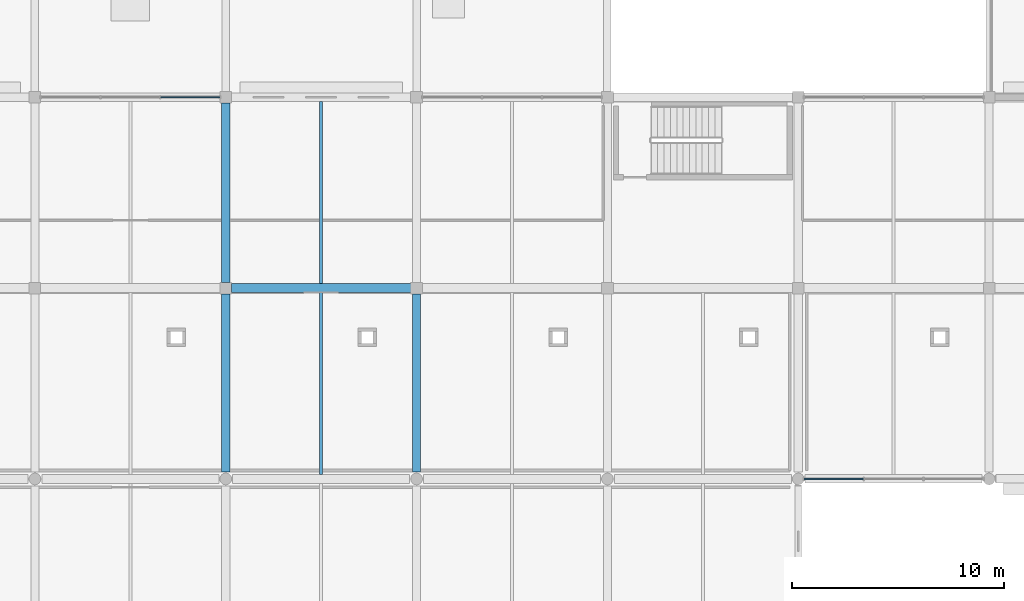
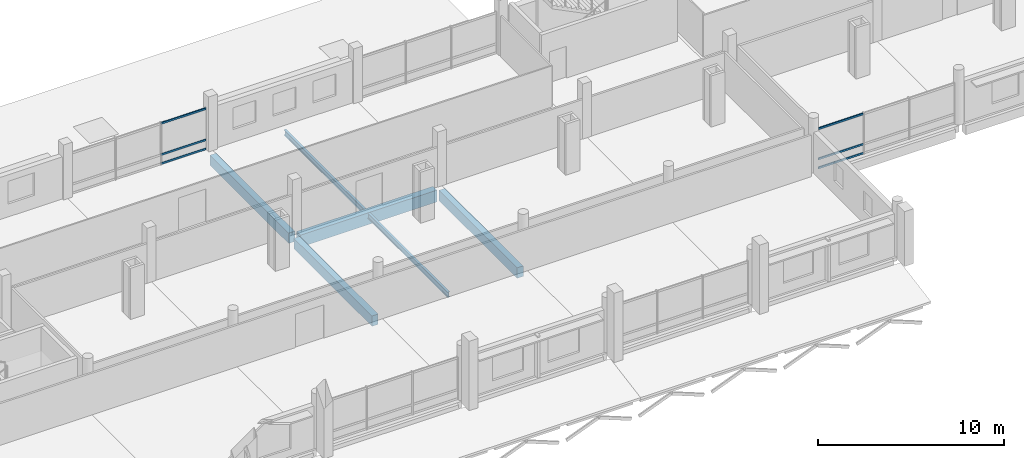
# One storey, part 58 of 132: 6 beams, 6 members, 2 elements without a shape of their own.
"""IFC4 building model written with IfcOpenShell, lengths in metres."""

from ifc_helpers import new_model, si_unit, direction, frame, origin, origin_2d, place, context, subcontext, project, spatial, rectangle, i_section, extrude, material, material_profile, profile_set, type_object, element, aggregate, save


model = new_model("IFC4")

# Units and contexts
model_context = context("Model", 3, precision=1e-05, world=origin(), true_north=direction((0.0, 1.0)))
body_context = subcontext(model_context, "Body", "Model", "MODEL_VIEW")
ifc_project = project(units=[si_unit("LENGTHUNIT", "METRE"), si_unit("AREAUNIT", "SQUARE_METRE"), si_unit("VOLUMEUNIT", "CUBIC_METRE"), si_unit("PLANEANGLEUNIT", "RADIAN"), si_unit("MASSUNIT", "GRAM", prefix="KILO")], contexts=[model_context])

# Site, building, storey
site_placement = place(None, origin())
site = spatial("IfcSite", under=ifc_project, at=site_placement, CompositionType="ELEMENT")
building_placement = place(site_placement, origin())
building = spatial("IfcBuilding", under=site, at=building_placement, Name="Tharagai Park Tramway Depot", CompositionType="ELEMENT")
storey_placement = place(building_placement, frame((0.0, 0.0, 4.800048828125)))
storey = spatial("IfcBuildingStorey", under=building, at=storey_placement, Name="L01", CompositionType="ELEMENT", Elevation=4.800048828125)

# Beams
ifc_material_1 = material(Name="Concrete M35", Category="concrete")
ifc_material_profile_1 = material_profile(ifc_material_1, rectangle(XDim=0.3798828125, YDim=0.679931640625, at=origin_2d()), Name="RC 380x680")
ifc_profile_set_1 = profile_set([ifc_material_profile_1], Name="Concrete M35")
beam_type_1 = type_object("IfcBeamType", Name="BM-12", PredefinedType="BEAM", material=ifc_profile_set_1)
beam_1_placement = place(storey_placement, frame((162.0, 9.324951171875, -0.570068359375), z_axis=(0.0, 1.0, 0.0), x_axis=(-1.0, 0.0, 0.0)))
element("IfcBeam", 1, at=beam_1_placement, inside=storey, type_object=beam_type_1, Name="L01 Grid Beam BM-12", PredefinedType="BEAM", context=body_context, shape_type="SweptSolid", body=[
    extrude(rectangle(XDim=0.3798828125, YDim=0.679931640625, at=origin_2d()), origin(), (0.0, 0.0, 1.0), 8.400146484375),
])
beam_2_placement = place(storey_placement, frame((162.0, 18.27490234375, -0.570068359375), z_axis=(0.0, 1.0, 0.0), x_axis=(-1.0, 0.0, 0.0)))
element("IfcBeam", 2, at=beam_2_placement, inside=storey, type_object=beam_type_1, Name="L01 Grid Beam BM-12", PredefinedType="BEAM", context=body_context, shape_type="SweptSolid", body=[
    extrude(rectangle(XDim=0.3798828125, YDim=0.679931640625, at=origin_2d()), origin(), (0.0, 0.0, 1.0), 8.4501953125),
])
beam_3_placement = place(storey_placement, frame((171.0, 9.324951171875, -0.570068359375), z_axis=(0.0, 1.0, 0.0), x_axis=(-1.0, 0.0, 0.0)))
element("IfcBeam", 3, at=beam_3_placement, inside=storey, type_object=beam_type_1, Name="L01 Grid Beam BM-12", PredefinedType="BEAM", context=body_context, shape_type="SweptSolid", body=[
    extrude(rectangle(XDim=0.3798828125, YDim=0.679931640625, at=origin_2d()), origin(), (0.0, 0.0, 1.0), 8.400146484375),
])
ifc_material_profile_2 = material_profile(ifc_material_1, rectangle(XDim=0.419921875, YDim=0.780029296875, at=origin_2d()), Name="RC 420x780")
ifc_profile_set_2 = profile_set([ifc_material_profile_2], Name="Concrete M35")
beam_type_2 = type_object("IfcBeamType", Name="BM-16", PredefinedType="BEAM", material=ifc_profile_set_2)
beam_4_placement = place(storey_placement, frame((162.27490234375, 18.0, -0.6201171875), z_axis=(1.0, 0.0, 0.0), x_axis=(0.0, 1.0, 0.0)))
element("IfcBeam", 4, at=beam_4_placement, inside=storey, type_object=beam_type_2, Name="L01 Grid Beam BM-16", PredefinedType="BEAM", context=body_context, shape_type="SweptSolid", body=[
    extrude(rectangle(XDim=0.419921875, YDim=0.780029296875, at=origin_2d()), origin(), (0.0, 0.0, 1.0), 8.4501953125),
])

# Curtain wall, members
ifc_material_2 = material(Name="Anodised aluminium", Category="aluminium")
curtain_wall_type = type_object("IfcCurtainWallType", Name="CW-06", PredefinedType="NOTDEFINED", material=ifc_material_2)
curtain_wall_1_placement = place(storey_placement, origin())
curtain_wall_1 = element("IfcCurtainWall", 5, at=curtain_wall_1_placement, inside=storey, type_object=curtain_wall_type, Name="L01 V5 Gothic Mullioned Curtain Wall CW-06", PredefinedType="NOTDEFINED")
ifc_material_profile_3 = material_profile(ifc_material_2, rectangle(XDim=0.06494140625, YDim=0.1201171875, at=origin_2d()), Name="ALU 65x120")
ifc_profile_set_3 = profile_set([ifc_material_profile_3], Name="Anodised aluminium")
member_type = type_object("IfcMemberType", Name="CM-01", PredefinedType="USERDEFINED", material=ifc_profile_set_3)
member_1_placement = place(storey_placement, frame((189.280029296875, 9.0, 0.06005859375), z_axis=(1.0, 0.0, 0.0), x_axis=(0.0, 1.0, 0.0)))
member_1 = element("IfcMember", 6, at=member_1_placement, type_object=member_type, Name="L01 V5 Gothic Mullioned Curtain Wall Transom 1.1", ObjectType="TRANSOM", PredefinedType="USERDEFINED", context=body_context, shape_type="SweptSolid", body=[
    extrude(rectangle(XDim=0.06494140625, YDim=0.1201171875, at=origin_2d()), origin(), (0.0, 0.0, 1.0), 2.793212890625),
])
member_2_placement = place(storey_placement, frame((189.280029296875, 9.0, 0.64990234375), z_axis=(1.0, 0.0, 0.0), x_axis=(0.0, 1.0, 0.0)))
member_2 = element("IfcMember", 7, at=member_2_placement, type_object=member_type, Name="L01 V5 Gothic Mullioned Curtain Wall Transom 1.2", ObjectType="TRANSOM", PredefinedType="USERDEFINED", context=body_context, shape_type="SweptSolid", body=[
    extrude(rectangle(XDim=0.06494140625, YDim=0.1201171875, at=origin_2d()), origin(), (0.0, 0.0, 1.0), 2.793212890625),
])
member_3_placement = place(storey_placement, frame((189.280029296875, 9.0, 2.6298828125), z_axis=(1.0, 0.0, 0.0), x_axis=(0.0, 1.0, 0.0)))
member_3 = element("IfcMember", 8, at=member_3_placement, type_object=member_type, Name="L01 V5 Gothic Mullioned Curtain Wall Transom 1.3", ObjectType="TRANSOM", PredefinedType="USERDEFINED", context=body_context, shape_type="SweptSolid", body=[
    extrude(rectangle(XDim=0.06494140625, YDim=0.1201171875, at=origin_2d()), origin(), (0.0, 0.0, 1.0), 2.793212890625),
])
aggregate(curtain_wall_1, [member_1, member_2, member_3])

curtain_wall_2_placement = place(storey_placement, origin())
curtain_wall_2 = element("IfcCurtainWall", 9, at=curtain_wall_2_placement, inside=storey, type_object=curtain_wall_type, Name="L01 V5 Gothic Mullioned Curtain Wall CW-06", PredefinedType="NOTDEFINED")
member_4_placement = place(storey_placement, frame((158.9267578125, 27.0, 0.06005859375), z_axis=(1.0, 0.0, 0.0), x_axis=(0.0, 1.0, 0.0)))
member_4 = element("IfcMember", 10, at=member_4_placement, type_object=member_type, Name="L01 V5 Gothic Mullioned Curtain Wall Transom 3.1", ObjectType="TRANSOM", PredefinedType="USERDEFINED", context=body_context, shape_type="SweptSolid", body=[
    extrude(rectangle(XDim=0.06494140625, YDim=0.1201171875, at=origin_2d()), origin(), (0.0, 0.0, 1.0), 2.793212890625),
])
member_5_placement = place(storey_placement, frame((158.9267578125, 27.0, 0.64990234375), z_axis=(1.0, 0.0, 0.0), x_axis=(0.0, 1.0, 0.0)))
member_5 = element("IfcMember", 11, at=member_5_placement, type_object=member_type, Name="L01 V5 Gothic Mullioned Curtain Wall Transom 3.2", ObjectType="TRANSOM", PredefinedType="USERDEFINED", context=body_context, shape_type="SweptSolid", body=[
    extrude(rectangle(XDim=0.06494140625, YDim=0.1201171875, at=origin_2d()), origin(), (0.0, 0.0, 1.0), 2.793212890625),
])
member_6_placement = place(storey_placement, frame((158.9267578125, 27.0, 2.68994140625), z_axis=(1.0, 0.0, 0.0), x_axis=(0.0, 1.0, 0.0)))
member_6 = element("IfcMember", 12, at=member_6_placement, type_object=member_type, Name="L01 V5 Gothic Mullioned Curtain Wall Transom 3.3", ObjectType="TRANSOM", PredefinedType="USERDEFINED", context=body_context, shape_type="SweptSolid", body=[
    extrude(rectangle(XDim=0.06494140625, YDim=0.1201171875, at=origin_2d()), origin(), (0.0, 0.0, 1.0), 2.793212890625),
])
aggregate(curtain_wall_2, [member_4, member_5, member_6])

# Beams
ifc_material_3 = material(Name="Steel E350", Category="steel")
ifc_material_profile_4 = material_profile(ifc_material_3, i_section(OverallWidth=0.139892578125, OverallDepth=0.35009765625, WebThickness=0.008056640625, FlangeThickness=0.01416015625, FilletRadius=0.013916015625, at=origin_2d()), Name="ISMB 350")
ifc_profile_set_4 = profile_set([ifc_material_profile_4], Name="Steel E350")
beam_type_3 = type_object("IfcBeamType", Name="JT-01", PredefinedType="JOIST", material=ifc_profile_set_4)
beam_5_placement = place(storey_placement, frame((166.5, 9.2099609375, -0.405029296875), z_axis=(0.0, 1.0, 0.0), x_axis=(-1.0, 0.0, 0.0)))
element("IfcBeam", 13, at=beam_5_placement, inside=storey, type_object=beam_type_3, Name="L01 Secondary Joist JT-01", PredefinedType="JOIST", context=body_context, shape_type="SweptSolid", body=[
    extrude(i_section(OverallWidth=0.139892578125, OverallDepth=0.35009765625, WebThickness=0.008056640625, FlangeThickness=0.01416015625, FilletRadius=0.013916015625, at=origin_2d()), origin(), (0.0, 0.0, 1.0), 8.580078125),
])
beam_6_placement = place(storey_placement, frame((166.5, 18.2099609375, -0.405029296875), z_axis=(0.0, 1.0, 0.0), x_axis=(-1.0, 0.0, 0.0)))
element("IfcBeam", 14, at=beam_6_placement, inside=storey, type_object=beam_type_3, Name="L01 Secondary Joist JT-01", PredefinedType="JOIST", context=body_context, shape_type="SweptSolid", body=[
    extrude(i_section(OverallWidth=0.139892578125, OverallDepth=0.35009765625, WebThickness=0.008056640625, FlangeThickness=0.01416015625, FilletRadius=0.013916015625, at=origin_2d()), origin(), (0.0, 0.0, 1.0), 8.590087890625),
])

save(model, "model.ifc")
